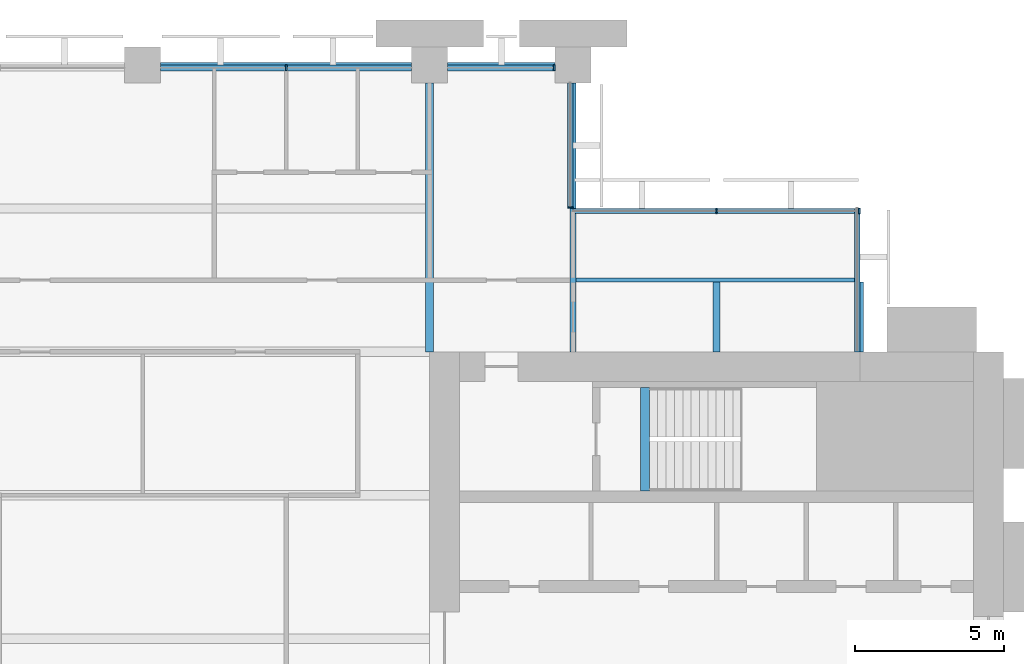
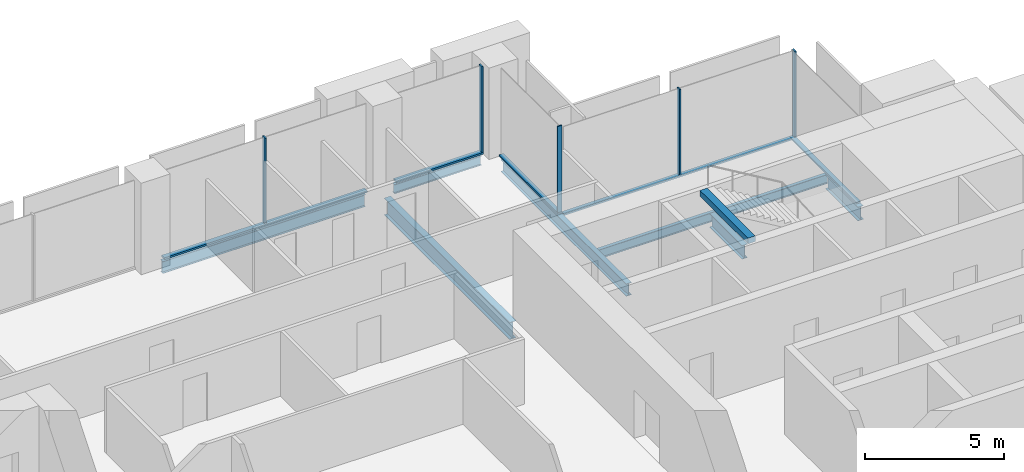
# One storey, part 7 of 14: 10 members, 8 beams, 4 elements without a shape of their own.
"""IFC4 building model written with IfcOpenShell, lengths in metres."""

from ifc_helpers import new_model, si_unit, direction, frame, origin, origin_2d, place, context, subcontext, project, spatial, rectangle, i_section, extrude, material, material_profile, profile_set, type_object, element, aggregate, save


model = new_model("IFC4")

# Units and contexts
model_context = context("Model", 3, precision=1e-05, world=origin(), true_north=direction((0.0, 1.0)))
body_context = subcontext(model_context, "Body", "Model", "MODEL_VIEW")
ifc_project = project(units=[si_unit("LENGTHUNIT", "METRE"), si_unit("AREAUNIT", "SQUARE_METRE"), si_unit("VOLUMEUNIT", "CUBIC_METRE"), si_unit("PLANEANGLEUNIT", "RADIAN"), si_unit("MASSUNIT", "GRAM", prefix="KILO")], contexts=[model_context])

# Site, building, storey
site_placement = place(None, origin())
site = spatial("IfcSite", under=ifc_project, at=site_placement, CompositionType="ELEMENT")
building_placement = place(site_placement, origin())
building = spatial("IfcBuilding", under=site, at=building_placement, Name="Baori Bourse Tower", CompositionType="ELEMENT")
storey_placement = place(building_placement, frame((0.0, 0.0, 112.10009765625)))
storey = spatial("IfcBuildingStorey", under=building, at=storey_placement, Name="L23", CompositionType="ELEMENT", Elevation=112.10009765625)

# Curtain wall, members
ifc_material_1 = material(Name="Pale anodised aluminium", Category="aluminium")
curtain_wall_type_1 = type_object("IfcCurtainWallType", Name="CW1 Curtain wall", PredefinedType="NOTDEFINED", material=ifc_material_1)
curtain_wall_1_placement = place(storey_placement, origin())
curtain_wall_1 = element("IfcCurtainWall", 1, at=curtain_wall_1_placement, inside=storey, type_object=curtain_wall_type_1, Name="Curtain wall CW1 L23 4", PredefinedType="NOTDEFINED")
ifc_material_2 = material(Name="Pale anodised aluminium", Category="aluminium")
ifc_material_profile_1 = material_profile(ifc_material_2, rectangle(XDim=0.199951171875, YDim=0.06005859375, at=origin_2d()), Name="Mullion 60x200")
ifc_profile_set_1 = profile_set([ifc_material_profile_1], Name="Pale anodised aluminium")
member_type_1 = type_object("IfcMemberType", Name="CW1 Curtain wall mullion", PredefinedType="MULLION", material=ifc_profile_set_1)
member_1_placement = place(storey_placement, frame((42.570068359375, 47.89990234375, 0.079833984375), z_axis=(0.0, 0.0, 1.0), x_axis=(0.0, -1.0, 0.0)))
member_1 = element("IfcMember", 2, at=member_1_placement, type_object=member_type_1, Name="Curtain wall CW1 mullion", PredefinedType="MULLION", context=body_context, shape_type="SweptSolid", body=[
    extrude(rectangle(XDim=0.199951171875, YDim=0.06005859375, at=origin_2d()), origin(), (0.0, 0.0, 1.0), 3.760009765625),
])
member_2_placement = place(storey_placement, frame((33.60009765625, 47.89990234375, 0.079833984375), z_axis=(0.0, 0.0, 1.0), x_axis=(0.0, -1.0, 0.0)))
member_2 = element("IfcMember", 3, at=member_2_placement, type_object=member_type_1, Name="Curtain wall CW1 mullion", PredefinedType="MULLION", context=body_context, shape_type="SweptSolid", body=[
    extrude(rectangle(XDim=0.199951171875, YDim=0.06005859375, at=origin_2d()), origin(), (0.0, 0.0, 1.0), 3.760009765625),
])
ifc_material_3 = material(Name="Pale anodised aluminium", Category="aluminium")
ifc_material_profile_2 = material_profile(ifc_material_3, rectangle(XDim=0.199951171875, YDim=0.080078125, at=origin_2d()), Name="Transom 80x200")
ifc_profile_set_2 = profile_set([ifc_material_profile_2], Name="Pale anodised aluminium")
member_type_2 = type_object("IfcMemberType", Name="CW1 Curtain wall transom", PredefinedType="USERDEFINED", material=ifc_profile_set_2)
member_3_placement = place(storey_placement, frame((42.60009765625, 47.89990234375, 0.039794921875), z_axis=(-1.0, 0.0, 0.0), x_axis=(0.0, -1.0, 0.0)))
member_3 = element("IfcMember", 4, at=member_3_placement, type_object=member_type_2, Name="Curtain wall CW1 sill rail", ObjectType="TRANSOM", PredefinedType="USERDEFINED", context=body_context, shape_type="SweptSolid", body=[
    extrude(rectangle(XDim=0.199951171875, YDim=0.080078125, at=origin_2d()), origin(), (0.0, 0.0, 1.0), 3.60009765625),
])
member_4_placement = place(storey_placement, frame((37.800048828125, 47.89990234375, 0.039794921875), z_axis=(-1.0, 0.0, 0.0), x_axis=(0.0, -1.0, 0.0)))
member_4 = element("IfcMember", 5, at=member_4_placement, type_object=member_type_2, Name="Curtain wall CW1 sill rail", ObjectType="TRANSOM", PredefinedType="USERDEFINED", context=body_context, shape_type="SweptSolid", body=[
    extrude(rectangle(XDim=0.199951171875, YDim=0.080078125, at=origin_2d()), origin(), (0.0, 0.0, 1.0), 8.400146484375),
])
aggregate(curtain_wall_1, [member_3, member_1, member_4, member_2])

ifc_material_4 = material(Name="Pale anodised aluminium", Category="aluminium")
curtain_wall_type_2 = type_object("IfcCurtainWallType", Name="CW2 Curtain wall", PredefinedType="NOTDEFINED", material=ifc_material_4)
curtain_wall_2_placement = place(storey_placement, origin())
curtain_wall_2 = element("IfcCurtainWall", 6, at=curtain_wall_2_placement, inside=storey, type_object=curtain_wall_type_2, Name="Curtain wall CW2 L23 2", PredefinedType="NOTDEFINED")
ifc_material_5 = material(Name="Pale anodised aluminium", Category="aluminium")
ifc_material_profile_3 = material_profile(ifc_material_5, rectangle(XDim=0.179931640625, YDim=0.054931640625, at=origin_2d()), Name="Mullion 55x180")
ifc_profile_set_3 = profile_set([ifc_material_profile_3], Name="Pale anodised aluminium")
member_type_3 = type_object("IfcMemberType", Name="CW2 Curtain wall mullion", PredefinedType="MULLION", material=ifc_profile_set_3)
member_5_placement = place(storey_placement, frame((52.7724609375, 43.110107421875, 0.06982421875), z_axis=(0.0, 0.0, 1.0), x_axis=(0.0, -1.0, 0.0)))
member_5 = element("IfcMember", 7, at=member_5_placement, type_object=member_type_3, Name="Curtain wall CW2 mullion", PredefinedType="MULLION", context=body_context, shape_type="SweptSolid", body=[
    extrude(rectangle(XDim=0.179931640625, YDim=0.054931640625, at=origin_2d()), origin(), (0.0, 0.0, 1.0), 3.77001953125),
])
member_6_placement = place(storey_placement, frame((48.0, 43.110107421875, 0.06982421875), z_axis=(0.0, 0.0, 1.0), x_axis=(0.0, -1.0, 0.0)))
member_6 = element("IfcMember", 8, at=member_6_placement, type_object=member_type_3, Name="Curtain wall CW2 mullion", PredefinedType="MULLION", context=body_context, shape_type="SweptSolid", body=[
    extrude(rectangle(XDim=0.179931640625, YDim=0.054931640625, at=origin_2d()), origin(), (0.0, 0.0, 1.0), 3.77001953125),
])

# Curtain wall, member
curtain_wall_3_placement = place(storey_placement, origin())
curtain_wall_3 = element("IfcCurtainWall", 9, at=curtain_wall_3_placement, inside=storey, type_object=curtain_wall_type_2, Name="Curtain wall CW2 L23 3", PredefinedType="NOTDEFINED")
member_7_placement = place(storey_placement, frame((43.110107421875, 43.2275390625, 0.06982421875), z_axis=(0.0, 0.0, 1.0), x_axis=(-1.0, 0.0, 0.0)))
member_7 = element("IfcMember", 10, at=member_7_placement, type_object=member_type_3, Name="Curtain wall CW2 mullion", PredefinedType="MULLION", context=body_context, shape_type="SweptSolid", body=[
    extrude(rectangle(XDim=0.179931640625, YDim=0.054931640625, at=origin_2d()), origin(), (0.0, 0.0, 1.0), 3.77001953125),
])

curtain_wall_4_placement = place(storey_placement, origin())
curtain_wall_4 = element("IfcCurtainWall", 11, at=curtain_wall_4_placement, inside=storey, type_object=curtain_wall_type_2, Name="Curtain wall CW2 L23 1", PredefinedType="NOTDEFINED")
ifc_material_6 = material(Name="Pale anodised aluminium", Category="aluminium")
ifc_material_profile_4 = material_profile(ifc_material_6, rectangle(XDim=0.179931640625, YDim=0.070068359375, at=origin_2d()), Name="Transom 70x180")
ifc_profile_set_4 = profile_set([ifc_material_profile_4], Name="Pale anodised aluminium")
member_type_4 = type_object("IfcMemberType", Name="CW2 Curtain wall transom", PredefinedType="USERDEFINED", material=ifc_profile_set_4)
member_8_placement = place(storey_placement, frame((52.7099609375, 38.39990234375, 0.034912109375), z_axis=(0.0, 1.0, 0.0), x_axis=(-1.0, 0.0, 0.0)))
member_8 = element("IfcMember", 12, at=member_8_placement, type_object=member_type_4, Name="Curtain wall CW2 sill rail", ObjectType="TRANSOM", PredefinedType="USERDEFINED", context=body_context, shape_type="SweptSolid", body=[
    extrude(rectangle(XDim=0.179931640625, YDim=0.070068359375, at=origin_2d()), origin(), (0.0, 0.0, 1.0), 4.800048828125),
])
aggregate(curtain_wall_4, [member_8])

# Member
member_9_placement = place(storey_placement, frame((52.800048828125, 43.110107421875, 0.034912109375), z_axis=(-1.0, 0.0, 0.0), x_axis=(0.0, -1.0, 0.0)))
member_9 = element("IfcMember", 13, at=member_9_placement, type_object=member_type_4, Name="Curtain wall CW2 sill rail", ObjectType="TRANSOM", PredefinedType="USERDEFINED", context=body_context, shape_type="SweptSolid", body=[
    extrude(rectangle(XDim=0.179931640625, YDim=0.070068359375, at=origin_2d()), origin(), (0.0, 0.0, 1.0), 9.60009765625),
])

aggregate(curtain_wall_2, [member_9, member_5, member_6])

member_10_placement = place(storey_placement, frame((43.110107421875, 43.199951171875, 0.034912109375), z_axis=(0.0, 1.0, 0.0), x_axis=(-1.0, 0.0, 0.0)))
member_10 = element("IfcMember", 14, at=member_10_placement, type_object=member_type_4, Name="Curtain wall CW2 sill rail", ObjectType="TRANSOM", PredefinedType="USERDEFINED", context=body_context, shape_type="SweptSolid", body=[
    extrude(rectangle(XDim=0.179931640625, YDim=0.070068359375, at=origin_2d()), origin(), (0.0, 0.0, 1.0), 4.199951171875),
])

aggregate(curtain_wall_3, [member_10, member_7])

# Beams
ifc_material_7 = material(Name="Steel A992 Gr 50", Category="steel")
ifc_material_profile_5 = material_profile(ifc_material_7, i_section(OverallWidth=0.227783203125, OverallDepth=0.60205078125, WebThickness=0.010498046875, FlangeThickness=0.014892578125, at=origin_2d()), Name="W24x68")
ifc_profile_set_5 = profile_set([ifc_material_profile_5], Name="Steel A992 Gr 50")
beam_type_1 = type_object("IfcBeamType", Name="Core bracket W24x68", PredefinedType="BEAM", material=ifc_profile_set_5)
for number, where, z_axis, x_axis, name in (
    (15, (48.0, 38.39990234375, -0.461181640625), (0.0, 1.0, 0.0), (-1.0, 0.0, 0.0), "Core bracket L23"),
    (16, (52.800048828125, 38.39990234375, -0.461181640625), (0.0, 1.0, 0.0), (-1.0, 0.0, 0.0), "Core bracket L23"),
):
    element("IfcBeam", number, at=place(storey_placement, frame(where, z_axis=z_axis, x_axis=x_axis)), inside=storey, type_object=beam_type_1, Name=name, PredefinedType="BEAM", context=body_context, shape_type="SweptSolid", body=[
        extrude(i_section(OverallWidth=0.227783203125, OverallDepth=0.60205078125, WebThickness=0.010498046875, FlangeThickness=0.014892578125, at=origin_2d()), origin(), (0.0, 0.0, 1.0), 2.329833984375),
    ])
ifc_material_8 = material(Name="Steel A992 Gr 50", Category="steel")
ifc_material_profile_6 = material_profile(ifc_material_8, i_section(OverallWidth=0.140380859375, OverallDepth=0.40380859375, WebThickness=0.007080078125, FlangeThickness=0.01123046875, at=origin_2d()), Name="W16x31")
ifc_profile_set_6 = profile_set([ifc_material_profile_6], Name="Steel A992 Gr 50")
beam_type_2 = type_object("IfcBeamType", Name="Edge beam W16x31", PredefinedType="BEAM", material=ifc_profile_set_6)
beam_1_placement = place(storey_placement, frame((39.0, 48.0, -0.362060546875), z_axis=(1.0, 0.0, 0.0), x_axis=(0.0, 1.0, 0.0)))
element("IfcBeam", 17, at=beam_1_placement, inside=storey, type_object=beam_type_2, Name="Edge beam L23", PredefinedType="BEAM", context=body_context, shape_type="SweptSolid", body=[
    extrude(i_section(OverallWidth=0.140380859375, OverallDepth=0.40380859375, WebThickness=0.007080078125, FlangeThickness=0.01123046875, at=origin_2d()), origin(), (0.0, 0.0, 1.0), 3.60009765625),
])
ifc_material_9 = material(Name="Steel A992 Gr 50", Category="steel")
ifc_material_profile_7 = material_profile(ifc_material_9, i_section(OverallWidth=0.1650390625, OverallDepth=0.52587890625, WebThickness=0.0087890625, FlangeThickness=0.011474609375, at=origin_2d()), Name="W21x44")
ifc_profile_set_7 = profile_set([ifc_material_profile_7], Name="Steel A992 Gr 50")
beam_type_3 = type_object("IfcBeamType", Name="Edge beam W21x44", PredefinedType="BEAM", material=ifc_profile_set_7)
beam_2_placement = place(storey_placement, frame((29.39990234375, 48.0, -0.423095703125), z_axis=(1.0, 0.0, 0.0), x_axis=(0.0, 1.0, 0.0)))
element("IfcBeam", 18, at=beam_2_placement, inside=storey, type_object=beam_type_3, Name="Edge beam L23", PredefinedType="BEAM", context=body_context, shape_type="SweptSolid", body=[
    extrude(i_section(OverallWidth=0.1650390625, OverallDepth=0.52587890625, WebThickness=0.0087890625, FlangeThickness=0.011474609375, at=origin_2d()), origin(), (0.0, 0.0, 1.0), 8.400146484375),
])
ifc_material_10 = material(Name="Steel A992 Gr 50", Category="steel")
ifc_material_profile_8 = material_profile(ifc_material_10, i_section(OverallWidth=0.21240234375, OverallDepth=0.54345703125, WebThickness=0.01318359375, FlangeThickness=0.021240234375, at=origin_2d()), Name="W21x83")
ifc_profile_set_8 = profile_set([ifc_material_profile_8], Name="Steel A992 Gr 50")
beam_type_4 = type_object("IfcBeamType", Name="Floor beam W21x83", PredefinedType="BEAM", material=ifc_profile_set_8)
beam_3_placement = place(storey_placement, frame((43.199951171875, 38.39990234375, -0.431884765625), z_axis=(0.0, 1.0, 0.0), x_axis=(-1.0, 0.0, 0.0)))
element("IfcBeam", 19, at=beam_3_placement, inside=storey, type_object=beam_type_4, Name="Floor beam L23", PredefinedType="BEAM", context=body_context, shape_type="SweptSolid", body=[
    extrude(i_section(OverallWidth=0.21240234375, OverallDepth=0.54345703125, WebThickness=0.01318359375, FlangeThickness=0.021240234375, at=origin_2d()), origin(), (0.0, 0.0, 1.0), 9.0),
])
ifc_material_11 = material(Name="Steel A992 Gr 50", Category="steel")
ifc_material_profile_9 = material_profile(ifc_material_11, i_section(OverallWidth=0.26416015625, OverallDepth=0.749267578125, WebThickness=0.011962890625, FlangeThickness=0.015380859375, at=origin_2d()), Name="W30x90")
ifc_profile_set_9 = profile_set([ifc_material_profile_9], Name="Steel A992 Gr 50")
beam_type_5 = type_object("IfcBeamType", Name="Girder W30x90", PredefinedType="BEAM", material=ifc_profile_set_9)
beam_4_placement = place(storey_placement, frame((38.39990234375, 38.39990234375, -0.53466796875), z_axis=(0.0, 1.0, 0.0), x_axis=(-1.0, 0.0, 0.0)))
element("IfcBeam", 20, at=beam_4_placement, inside=storey, type_object=beam_type_5, Name="Girder L23", PredefinedType="BEAM", context=body_context, shape_type="SweptSolid", body=[
    extrude(i_section(OverallWidth=0.26416015625, OverallDepth=0.749267578125, WebThickness=0.011962890625, FlangeThickness=0.015380859375, at=origin_2d()), origin(), (0.0, 0.0, 1.0), 9.0),
])
ifc_material_12 = material(Name="Concrete f'c 50 MPa", Category="concrete")
ifc_material_profile_10 = material_profile(ifc_material_12, rectangle(XDim=0.300048828125, YDim=0.25, at=origin_2d()), Name="RC 300x250")
ifc_profile_set_10 = profile_set([ifc_material_profile_10], Name="Concrete f'c 50 MPa")
beam_type_6 = type_object("IfcBeamType", Name="Stair nib beam RC 300x250", PredefinedType="BEAM", material=ifc_profile_set_10)
beam_5_placement = place(storey_placement, frame((45.60009765625, 33.75, 3.71484375), z_axis=(0.0, 1.0, 0.0), x_axis=(-1.0, 0.0, 0.0)))
element("IfcBeam", 21, at=beam_5_placement, inside=storey, type_object=beam_type_6, Name="Stair EB nib beam L24", PredefinedType="BEAM", context=body_context, shape_type="SweptSolid", body=[
    extrude(rectangle(XDim=0.300048828125, YDim=0.25, at=origin_2d()), origin(), (0.0, 0.0, 1.0), 3.449951171875),
])
ifc_material_13 = material(Name="Steel A992 Gr 50", Category="steel")
ifc_material_profile_11 = material_profile(ifc_material_13, i_section(OverallWidth=0.140380859375, OverallDepth=0.40380859375, WebThickness=0.007080078125, FlangeThickness=0.01123046875, at=origin_2d()), Name="W16x31")
ifc_profile_set_11 = profile_set([ifc_material_profile_11], Name="Steel A992 Gr 50")
beam_type_7 = type_object("IfcBeamType", Name="Trimmer beam W16x31", PredefinedType="BEAM", material=ifc_profile_set_11)
beam_6_placement = place(storey_placement, frame((43.30615234375, 40.800048828125, -0.362060546875), z_axis=(1.0, 0.0, 0.0), x_axis=(0.0, 1.0, 0.0)))
element("IfcBeam", 22, at=beam_6_placement, inside=storey, type_object=beam_type_7, Name="Trimmer beam L23", PredefinedType="BEAM", context=body_context, shape_type="SweptSolid", body=[
    extrude(i_section(OverallWidth=0.140380859375, OverallDepth=0.40380859375, WebThickness=0.007080078125, FlangeThickness=0.01123046875, at=origin_2d()), origin(), (0.0, 0.0, 1.0), 9.493896484375),
])

save(model, "model.ifc")
